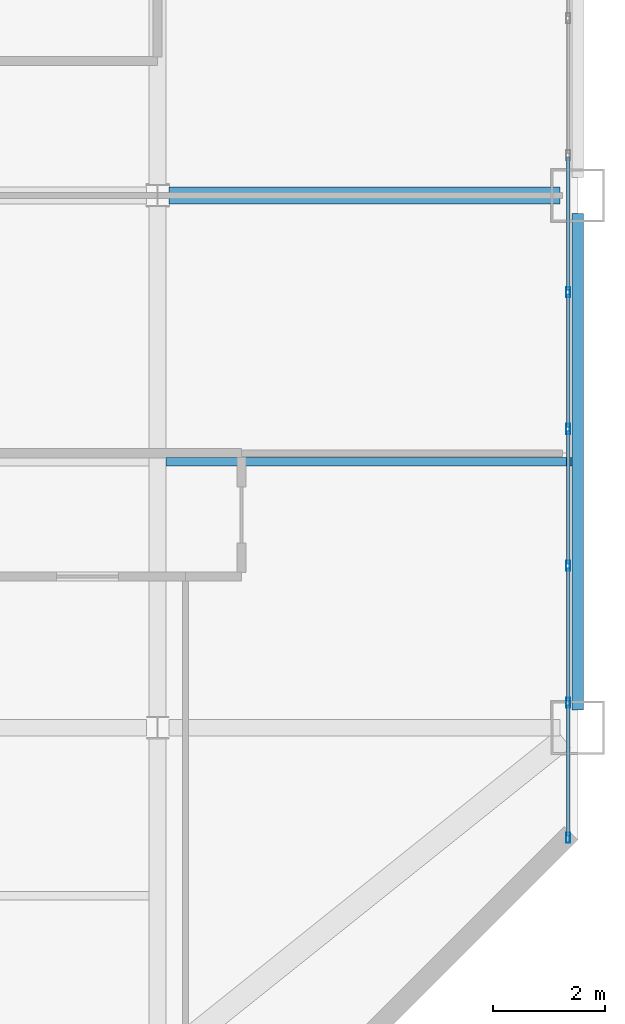
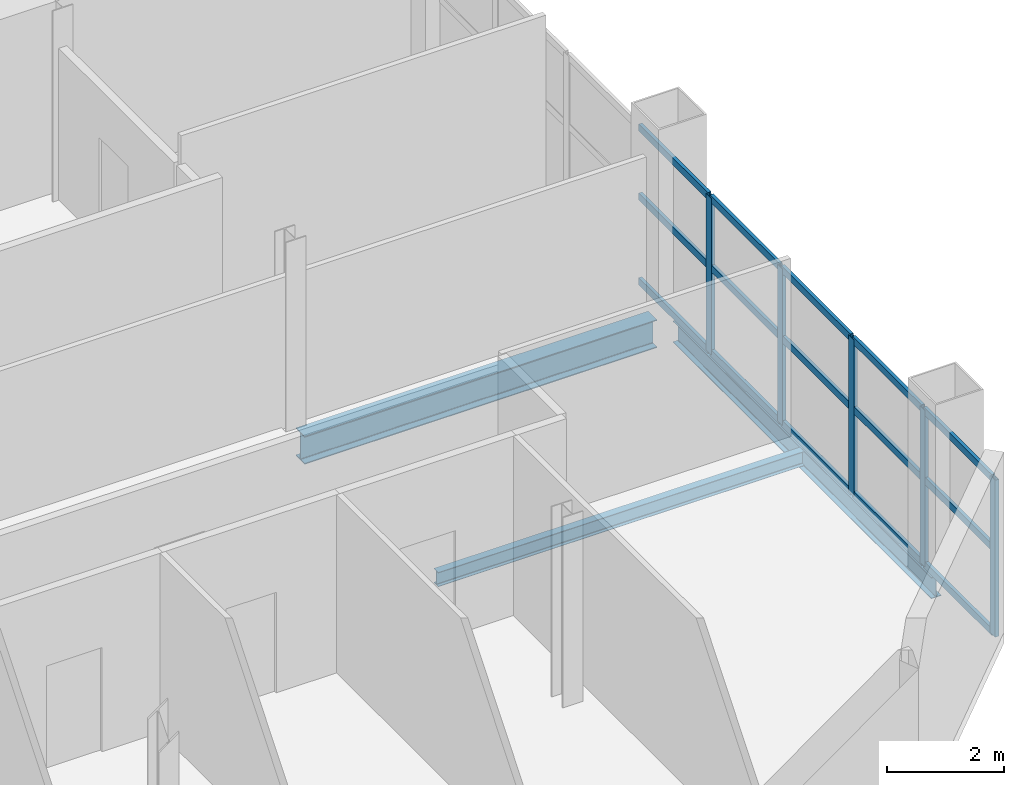
# One storey, part 4 of 12: 20 members, 3 beams, 1 element without a shape of its own.
"""IFC4 building model written with IfcOpenShell, lengths in metres."""

from ifc_helpers import new_model, si_unit, direction, frame, origin, origin_2d, place, context, subcontext, project, spatial, hollow_rectangle, i_section, extrude, material, layer, layer_set, material_profile, profile_set, type_object, element, aggregate, save


model = new_model("IFC4")

# Units and contexts
model_context = context("Model", 3, precision=1e-05, world=origin(), true_north=direction((0.0, 1.0)))
body_context = subcontext(model_context, "Body", "Model", "MODEL_VIEW")
ifc_project = project(units=[si_unit("LENGTHUNIT", "METRE"), si_unit("AREAUNIT", "SQUARE_METRE"), si_unit("VOLUMEUNIT", "CUBIC_METRE"), si_unit("PLANEANGLEUNIT", "RADIAN"), si_unit("MASSUNIT", "GRAM", prefix="KILO")], contexts=[model_context])

# Site, building, storey
site_placement = place(None, origin())
site = spatial("IfcSite", under=ifc_project, at=site_placement, CompositionType="ELEMENT")
building_placement = place(site_placement, origin())
building = spatial("IfcBuilding", under=site, at=building_placement, Name="Qianrong Seaharbour Tower", CompositionType="ELEMENT")
storey_placement = place(building_placement, frame((0.0, 0.0, 213.800048828125)))
storey = spatial("IfcBuildingStorey", under=building, at=storey_placement, Name="L51", CompositionType="ELEMENT", Elevation=213.800048828125)

# Beams
ifc_material_1 = material(Name="Structural steel SN490B", Category="steel")
ifc_material_profile_1 = material_profile(ifc_material_1, i_section(OverallWidth=0.300048828125, OverallDepth=0.587890625, WebThickness=0.011962890625, FlangeThickness=0.02001953125, FilletRadius=0.02392578125, at=origin_2d()), Name="H588x300x12x20")
ifc_profile_set_1 = profile_set([ifc_material_profile_1], Name="Structural steel SN490B")
beam_type_1 = type_object("IfcBeamType", Name="BM-G-588", PredefinedType="BEAM", material=ifc_profile_set_1)
beam_1_placement = place(storey_placement, frame((56.699951171875, 28.0, -0.51904296875), z_axis=(1.0, 0.0, 0.0), x_axis=(0.0, 1.0, 0.0)))
element("IfcBeam", 1, at=beam_1_placement, inside=storey, type_object=beam_type_1, Name="L51 Primary Girder GE G8-G9", PredefinedType="BEAM", context=body_context, shape_type="SweptSolid", body=[
    extrude(i_section(OverallWidth=0.300048828125, OverallDepth=0.587890625, WebThickness=0.011962890625, FlangeThickness=0.02001953125, FilletRadius=0.02392578125, at=origin_2d()), origin(), (0.0, 0.0, 1.0), 6.97998046875),
])
ifc_material_2 = material(Name="Structural steel SN400B", Category="steel")
ifc_material_profile_2 = material_profile(ifc_material_2, i_section(OverallWidth=0.14990234375, OverallDepth=0.300048828125, WebThickness=0.006591796875, FlangeThickness=0.009033203125, FilletRadius=0.012939453125, at=origin_2d()), Name="H300x150x6.5x9")
ifc_profile_set_2 = profile_set([ifc_material_profile_2], Name="Structural steel SN400B")
beam_type_2 = type_object("IfcBeamType", Name="BM-J-300", PredefinedType="JOIST", material=ifc_profile_set_2)
beam_2_placement = place(storey_placement, frame((56.64990234375, 23.25, -0.375), z_axis=(1.0, 0.0, 0.0), x_axis=(0.0, 1.0, 0.0)))
element("IfcBeam", 2, at=beam_2_placement, inside=storey, type_object=beam_type_2, Name="L51 Composite Floor Joist G8-G9/GD-GE", PredefinedType="JOIST", context=body_context, shape_type="SweptSolid", body=[
    extrude(i_section(OverallWidth=0.14990234375, OverallDepth=0.300048828125, WebThickness=0.006591796875, FlangeThickness=0.009033203125, FilletRadius=0.012939453125, at=origin_2d()), origin(), (0.0, 0.0, 1.0), 7.25),
])
ifc_material_profile_3 = material_profile(ifc_material_2, i_section(OverallWidth=0.199951171875, OverallDepth=0.449951171875, WebThickness=0.009033203125, FlangeThickness=0.013916015625, FilletRadius=0.01806640625, at=origin_2d()), Name="H450x200x9x14")
ifc_profile_set_3 = profile_set([ifc_material_profile_3], Name="Structural steel SN400B")
beam_type_3 = type_object("IfcBeamType", Name="BM-SP-450", PredefinedType="SPANDREL", material=ifc_profile_set_3)
beam_3_placement = place(storey_placement, frame((64.0, 18.820068359375, -0.449951171875), z_axis=(0.0, 1.0, 0.0), x_axis=(-1.0, 0.0, 0.0)))
element("IfcBeam", 3, at=beam_3_placement, inside=storey, type_object=beam_type_3, Name="L51 Spandrel Girder G9 GD-GE", PredefinedType="SPANDREL", context=body_context, shape_type="SweptSolid", body=[
    extrude(i_section(OverallWidth=0.199951171875, OverallDepth=0.449951171875, WebThickness=0.009033203125, FlangeThickness=0.013916015625, FilletRadius=0.01806640625, at=origin_2d()), origin(), (0.0, 0.0, 1.0), 8.85986328125),
])

# Curtain wall, members
ifc_material_3 = material(Name="Anodised aluminium 6063-T6 and laminated low-e glass", Category="aluminium")
ifc_layer = layer(ifc_material_3, 0.195068359375)
ifc_layer_set = layer_set([ifc_layer], Name="Anodised aluminium 6063-T6 and laminated low-e glass")
curtain_wall_type = type_object("IfcCurtainWallType", Name="CW-SYS-3", PredefinedType="NOTDEFINED", material=ifc_layer_set)
curtain_wall_placement = place(storey_placement, origin())
curtain_wall = element("IfcCurtainWall", 4, at=curtain_wall_placement, inside=storey, type_object=curtain_wall_type, Name="L51 Sky-Garden Wintergarden Curtain Wall EAST_WING", PredefinedType="NOTDEFINED")
ifc_material_4 = material(Name="Extruded aluminium 6063-T6", Category="aluminium")
ifc_material_profile_4 = material_profile(ifc_material_4, hollow_rectangle(XDim=0.070068359375, YDim=0.179931640625, WallThickness=0.00390625, at=origin_2d()), Name="ALU-MUL-180x70x4")
ifc_profile_set_4 = profile_set([ifc_material_profile_4], Name="Extruded aluminium 6063-T6")
member_type_1 = type_object("IfcMemberType", Name="CW-MUL-180", PredefinedType="MULLION", material=ifc_profile_set_4)
member_1_placement = place(storey_placement, frame((63.830078125, 26.27490234375, 0.0), z_axis=(0.0, 0.0, 1.0), x_axis=(1.0, 0.0, 0.0)))
member_1 = element("IfcMember", 5, at=member_1_placement, type_object=member_type_1, Name="CW-3 mullion 5", PredefinedType="MULLION", context=body_context, shape_type="SweptSolid", body=[
    extrude(hollow_rectangle(XDim=0.070068359375, YDim=0.179931640625, WallThickness=0.00390625, at=origin_2d()), origin(), (0.0, 0.0, 1.0), 3.284912109375),
])
member_2_placement = place(storey_placement, frame((63.830078125, 23.831298828125, 0.0), z_axis=(0.0, 0.0, 1.0), x_axis=(1.0, 0.0, 0.0)))
member_2 = element("IfcMember", 6, at=member_2_placement, type_object=member_type_1, Name="CW-3 mullion 6", PredefinedType="MULLION", context=body_context, shape_type="SweptSolid", body=[
    extrude(hollow_rectangle(XDim=0.070068359375, YDim=0.179931640625, WallThickness=0.00390625, at=origin_2d()), origin(), (0.0, 0.0, 1.0), 3.284912109375),
])
member_3_placement = place(storey_placement, frame((63.830078125, 21.387451171875, 0.0), z_axis=(0.0, 0.0, 1.0), x_axis=(1.0, 0.0, 0.0)))
member_3 = element("IfcMember", 7, at=member_3_placement, type_object=member_type_1, Name="CW-3 mullion 7", PredefinedType="MULLION", context=body_context, shape_type="SweptSolid", body=[
    extrude(hollow_rectangle(XDim=0.070068359375, YDim=0.179931640625, WallThickness=0.00390625, at=origin_2d()), origin(), (0.0, 0.0, 1.0), 3.284912109375),
])
member_4_placement = place(storey_placement, frame((63.830078125, 18.94384765625, 0.0), z_axis=(0.0, 0.0, 1.0), x_axis=(1.0, 0.0, 0.0)))
member_4 = element("IfcMember", 8, at=member_4_placement, type_object=member_type_1, Name="CW-3 mullion 8", PredefinedType="MULLION", context=body_context, shape_type="SweptSolid", body=[
    extrude(hollow_rectangle(XDim=0.070068359375, YDim=0.179931640625, WallThickness=0.00390625, at=origin_2d()), origin(), (0.0, 0.0, 1.0), 3.284912109375),
])
member_5_placement = place(storey_placement, frame((63.830078125, 16.534912109375, 0.0), z_axis=(0.0, 0.0, 1.0), x_axis=(1.0, 0.0, 0.0)))
member_5 = element("IfcMember", 9, at=member_5_placement, type_object=member_type_1, Name="CW-3 mullion 9", PredefinedType="MULLION", context=body_context, shape_type="SweptSolid", body=[
    extrude(hollow_rectangle(XDim=0.070068359375, YDim=0.179931640625, WallThickness=0.00390625, at=origin_2d()), origin(), (0.0, 0.0, 1.0), 3.284912109375),
])
ifc_material_profile_5 = material_profile(ifc_material_4, hollow_rectangle(XDim=0.06494140625, YDim=0.14990234375, WallThickness=0.00390625, at=origin_2d()), Name="ALU-TRN-150x65x4")
ifc_profile_set_5 = profile_set([ifc_material_profile_5], Name="Extruded aluminium 6063-T6")
member_type_2 = type_object("IfcMemberType", Name="CW-TRN-150", PredefinedType="USERDEFINED", material=ifc_profile_set_5)
member_6_placement = place(storey_placement, frame((63.830078125, 28.683837890625, 0.032470703125), z_axis=(0.0, -1.0, 0.0), x_axis=(1.0, 0.0, 0.0)))
member_6 = element("IfcMember", 10, at=member_6_placement, type_object=member_type_2, Name="CW-3 transom 4.1", ObjectType="TRANSOM", PredefinedType="USERDEFINED", context=body_context, shape_type="SweptSolid", body=[
    extrude(hollow_rectangle(XDim=0.06494140625, YDim=0.14990234375, WallThickness=0.00390625, at=origin_2d()), origin(), (0.0, 0.0, 1.0), 2.373779296875),
])
member_7_placement = place(storey_placement, frame((63.830078125, 28.683837890625, 1.806640625), z_axis=(0.0, -1.0, 0.0), x_axis=(1.0, 0.0, 0.0)))
member_7 = element("IfcMember", 11, at=member_7_placement, type_object=member_type_2, Name="CW-3 transom 4.2", ObjectType="TRANSOM", PredefinedType="USERDEFINED", context=body_context, shape_type="SweptSolid", body=[
    extrude(hollow_rectangle(XDim=0.06494140625, YDim=0.14990234375, WallThickness=0.00390625, at=origin_2d()), origin(), (0.0, 0.0, 1.0), 2.373779296875),
])
member_8_placement = place(storey_placement, frame((63.830078125, 28.683837890625, 3.25244140625), z_axis=(0.0, -1.0, 0.0), x_axis=(1.0, 0.0, 0.0)))
member_8 = element("IfcMember", 12, at=member_8_placement, type_object=member_type_2, Name="CW-3 transom 4.3", ObjectType="TRANSOM", PredefinedType="USERDEFINED", context=body_context, shape_type="SweptSolid", body=[
    extrude(hollow_rectangle(XDim=0.06494140625, YDim=0.14990234375, WallThickness=0.00390625, at=origin_2d()), origin(), (0.0, 0.0, 1.0), 2.373779296875),
])
member_9_placement = place(storey_placement, frame((63.830078125, 26.239990234375, 0.032470703125), z_axis=(0.0, -1.0, 0.0), x_axis=(1.0, 0.0, 0.0)))
member_9 = element("IfcMember", 13, at=member_9_placement, type_object=member_type_2, Name="CW-3 transom 5.1", ObjectType="TRANSOM", PredefinedType="USERDEFINED", context=body_context, shape_type="SweptSolid", body=[
    extrude(hollow_rectangle(XDim=0.06494140625, YDim=0.14990234375, WallThickness=0.00390625, at=origin_2d()), origin(), (0.0, 0.0, 1.0), 2.373779296875),
])
member_10_placement = place(storey_placement, frame((63.830078125, 26.239990234375, 1.806640625), z_axis=(0.0, -1.0, 0.0), x_axis=(1.0, 0.0, 0.0)))
member_10 = element("IfcMember", 14, at=member_10_placement, type_object=member_type_2, Name="CW-3 transom 5.2", ObjectType="TRANSOM", PredefinedType="USERDEFINED", context=body_context, shape_type="SweptSolid", body=[
    extrude(hollow_rectangle(XDim=0.06494140625, YDim=0.14990234375, WallThickness=0.00390625, at=origin_2d()), origin(), (0.0, 0.0, 1.0), 2.373779296875),
])
member_11_placement = place(storey_placement, frame((63.830078125, 26.239990234375, 3.25244140625), z_axis=(0.0, -1.0, 0.0), x_axis=(1.0, 0.0, 0.0)))
member_11 = element("IfcMember", 15, at=member_11_placement, type_object=member_type_2, Name="CW-3 transom 5.3", ObjectType="TRANSOM", PredefinedType="USERDEFINED", context=body_context, shape_type="SweptSolid", body=[
    extrude(hollow_rectangle(XDim=0.06494140625, YDim=0.14990234375, WallThickness=0.00390625, at=origin_2d()), origin(), (0.0, 0.0, 1.0), 2.373779296875),
])
member_12_placement = place(storey_placement, frame((63.830078125, 23.796142578125, 0.032470703125), z_axis=(0.0, -1.0, 0.0), x_axis=(1.0, 0.0, 0.0)))
member_12 = element("IfcMember", 16, at=member_12_placement, type_object=member_type_2, Name="CW-3 transom 6.1", ObjectType="TRANSOM", PredefinedType="USERDEFINED", context=body_context, shape_type="SweptSolid", body=[
    extrude(hollow_rectangle(XDim=0.06494140625, YDim=0.14990234375, WallThickness=0.00390625, at=origin_2d()), origin(), (0.0, 0.0, 1.0), 2.37353515625),
])
member_13_placement = place(storey_placement, frame((63.830078125, 23.796142578125, 1.806640625), z_axis=(0.0, -1.0, 0.0), x_axis=(1.0, 0.0, 0.0)))
member_13 = element("IfcMember", 17, at=member_13_placement, type_object=member_type_2, Name="CW-3 transom 6.2", ObjectType="TRANSOM", PredefinedType="USERDEFINED", context=body_context, shape_type="SweptSolid", body=[
    extrude(hollow_rectangle(XDim=0.06494140625, YDim=0.14990234375, WallThickness=0.00390625, at=origin_2d()), origin(), (0.0, 0.0, 1.0), 2.37353515625),
])
member_14_placement = place(storey_placement, frame((63.830078125, 23.796142578125, 3.25244140625), z_axis=(0.0, -1.0, 0.0), x_axis=(1.0, 0.0, 0.0)))
member_14 = element("IfcMember", 18, at=member_14_placement, type_object=member_type_2, Name="CW-3 transom 6.3", ObjectType="TRANSOM", PredefinedType="USERDEFINED", context=body_context, shape_type="SweptSolid", body=[
    extrude(hollow_rectangle(XDim=0.06494140625, YDim=0.14990234375, WallThickness=0.00390625, at=origin_2d()), origin(), (0.0, 0.0, 1.0), 2.37353515625),
])
member_15_placement = place(storey_placement, frame((63.830078125, 21.3525390625, 0.032470703125), z_axis=(0.0, -1.0, 0.0), x_axis=(1.0, 0.0, 0.0)))
member_15 = element("IfcMember", 19, at=member_15_placement, type_object=member_type_2, Name="CW-3 transom 7.1", ObjectType="TRANSOM", PredefinedType="USERDEFINED", context=body_context, shape_type="SweptSolid", body=[
    extrude(hollow_rectangle(XDim=0.06494140625, YDim=0.14990234375, WallThickness=0.00390625, at=origin_2d()), origin(), (0.0, 0.0, 1.0), 2.373779296875),
])
member_16_placement = place(storey_placement, frame((63.830078125, 21.3525390625, 1.806640625), z_axis=(0.0, -1.0, 0.0), x_axis=(1.0, 0.0, 0.0)))
member_16 = element("IfcMember", 20, at=member_16_placement, type_object=member_type_2, Name="CW-3 transom 7.2", ObjectType="TRANSOM", PredefinedType="USERDEFINED", context=body_context, shape_type="SweptSolid", body=[
    extrude(hollow_rectangle(XDim=0.06494140625, YDim=0.14990234375, WallThickness=0.00390625, at=origin_2d()), origin(), (0.0, 0.0, 1.0), 2.373779296875),
])
member_17_placement = place(storey_placement, frame((63.830078125, 21.3525390625, 3.25244140625), z_axis=(0.0, -1.0, 0.0), x_axis=(1.0, 0.0, 0.0)))
member_17 = element("IfcMember", 21, at=member_17_placement, type_object=member_type_2, Name="CW-3 transom 7.3", ObjectType="TRANSOM", PredefinedType="USERDEFINED", context=body_context, shape_type="SweptSolid", body=[
    extrude(hollow_rectangle(XDim=0.06494140625, YDim=0.14990234375, WallThickness=0.00390625, at=origin_2d()), origin(), (0.0, 0.0, 1.0), 2.373779296875),
])
member_18_placement = place(storey_placement, frame((63.830078125, 18.90869140625, 0.032470703125), z_axis=(0.0, -1.0, 0.0), x_axis=(1.0, 0.0, 0.0)))
member_18 = element("IfcMember", 22, at=member_18_placement, type_object=member_type_2, Name="CW-3 transom 8.1", ObjectType="TRANSOM", PredefinedType="USERDEFINED", context=body_context, shape_type="SweptSolid", body=[
    extrude(hollow_rectangle(XDim=0.06494140625, YDim=0.14990234375, WallThickness=0.00390625, at=origin_2d()), origin(), (0.0, 0.0, 1.0), 2.338623046875),
])
member_19_placement = place(storey_placement, frame((63.830078125, 18.90869140625, 1.806640625), z_axis=(0.0, -1.0, 0.0), x_axis=(1.0, 0.0, 0.0)))
member_19 = element("IfcMember", 23, at=member_19_placement, type_object=member_type_2, Name="CW-3 transom 8.2", ObjectType="TRANSOM", PredefinedType="USERDEFINED", context=body_context, shape_type="SweptSolid", body=[
    extrude(hollow_rectangle(XDim=0.06494140625, YDim=0.14990234375, WallThickness=0.00390625, at=origin_2d()), origin(), (0.0, 0.0, 1.0), 2.338623046875),
])
member_20_placement = place(storey_placement, frame((63.830078125, 18.90869140625, 3.25244140625), z_axis=(0.0, -1.0, 0.0), x_axis=(1.0, 0.0, 0.0)))
member_20 = element("IfcMember", 24, at=member_20_placement, type_object=member_type_2, Name="CW-3 transom 8.3", ObjectType="TRANSOM", PredefinedType="USERDEFINED", context=body_context, shape_type="SweptSolid", body=[
    extrude(hollow_rectangle(XDim=0.06494140625, YDim=0.14990234375, WallThickness=0.00390625, at=origin_2d()), origin(), (0.0, 0.0, 1.0), 2.338623046875),
])
aggregate(curtain_wall, [member_1, member_2, member_3, member_4, member_5, member_6, member_7, member_8, member_9, member_10, member_11, member_12, member_13, member_14, member_15, member_16, member_17, member_18, member_19, member_20])

save(model, "model.ifc")
